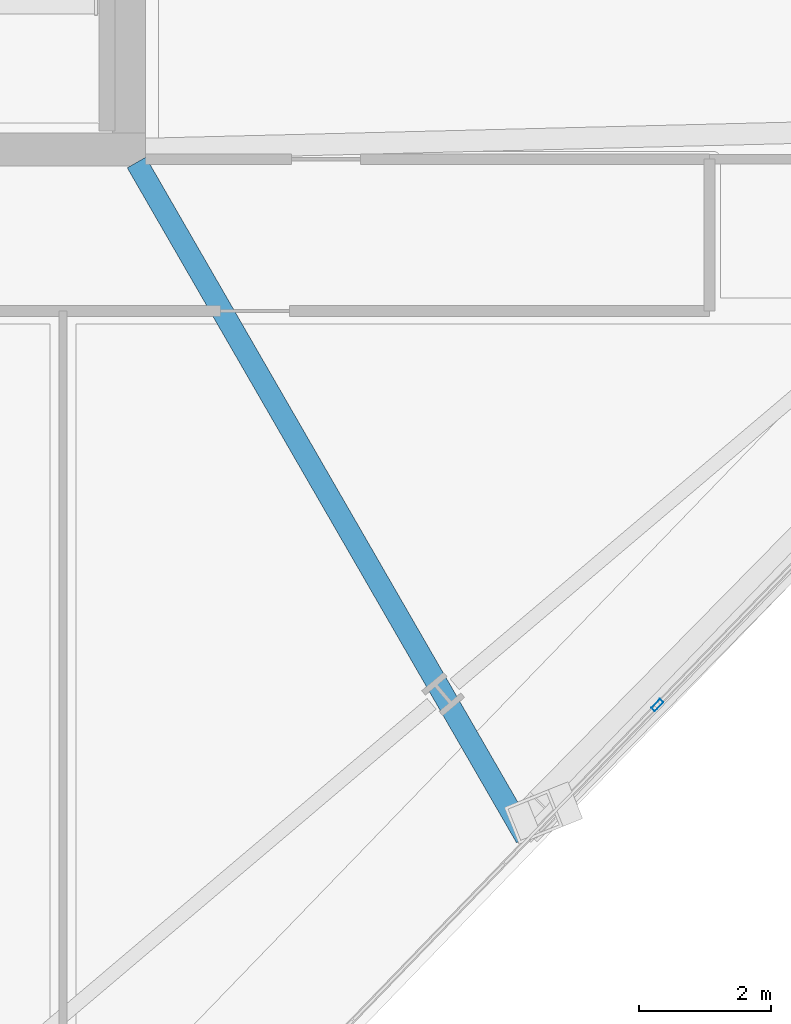
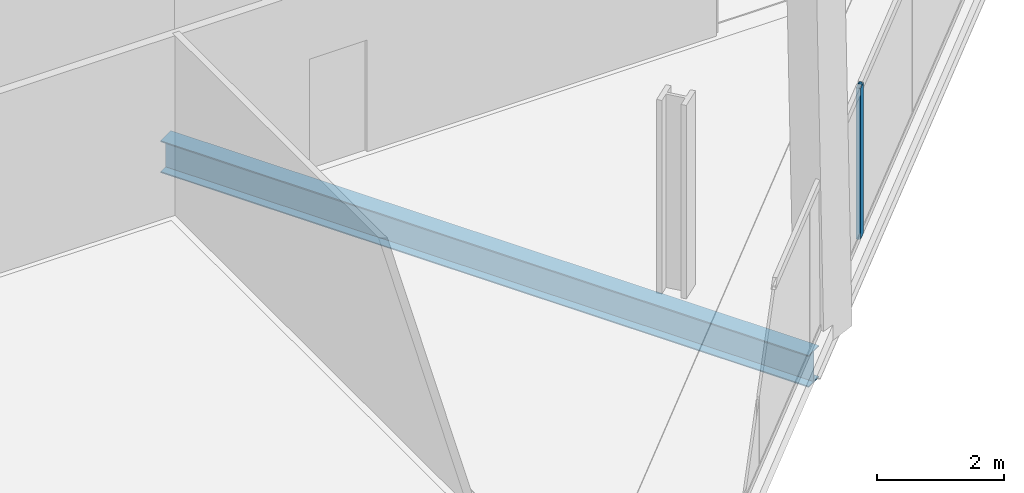
# One storey, part 9 of 33: 1 beam, 1 member, 1 element without a shape of its own.
"""IFC4 building model written with IfcOpenShell, lengths in metres."""

import ifcopenshell
import ifcopenshell.guid

model = None  # the IFC model being written
_history = None  # IfcOwnerHistory: only IFC2X3 demands one
_inside = {}  # id of a spatial element -> (the spatial element, [elements in it])
_under = {}  # id of a project, library or spatial element -> (it, [spatial elements below it])
_declared = {}  # id of a project -> (the project, [libraries it declares])
_typed = {}  # id of a type object -> (the type object, [elements of that type])
_made_of = {}  # id of a material, layer set ... -> (it, [elements and type objects made of it])


def new_model(schema):
    """Start an empty IFC model of exactly this schema.

    Asked for "IFC4X3", IfcOpenShell would pick the latest addendum, in which some entities
    have other attributes; the version numbers below select the first issue.
    IFC2X3 requires an IfcOwnerHistory on every rooted entity: one is made here for all.
    """
    global model, _history
    if schema == "IFC4X3":
        model = ifcopenshell.file(schema_version=(4, 3, 0, 0))
    else:
        model = ifcopenshell.file(schema=schema)
    _inside.clear()
    _under.clear()
    _declared.clear()
    _typed.clear()
    _made_of.clear()
    _history = None
    if model.schema == "IFC2X3":
        org = make("IfcOrganization", Name="unknown")
        user = make(
            "IfcPersonAndOrganization",
            ThePerson=make("IfcPerson", FamilyName="unknown"),
            TheOrganization=org,
        )
        app = make(
            "IfcApplication",
            ApplicationDeveloper=org,
            Version="unknown",
            ApplicationFullName="unknown",
            ApplicationIdentifier="unknown",
        )
        _history = make(
            "IfcOwnerHistory",
            OwningUser=user,
            OwningApplication=app,
            ChangeAction="ADDED",
            CreationDate=0,
        )
    return model


def make(cls, **values):
    """One entity of the class cls with the attributes given. An attribute that is None is left unset."""
    return model.create_entity(
        cls, **{name: value for name, value in values.items() if value is not None}
    )


def rooted(cls, **values):
    """An entity with a GlobalId (a new one), such as an element, a storey or a relation."""
    return make(cls, GlobalId=ifcopenshell.guid.new(), OwnerHistory=_history, **values)


def si_unit(unit_type, name, prefix=None):
    """IfcSIUnit, for example si_unit("LENGTHUNIT", "METRE", prefix="MILLI")."""
    return make("IfcSIUnit", UnitType=unit_type, Prefix=prefix, Name=name)


def assignment(units):
    """IfcUnitAssignment: the units of a project."""
    return None if units is None else make("IfcUnitAssignment", Units=units)


def point(xyz):
    """IfcCartesianPoint."""
    return None if xyz is None else make("IfcCartesianPoint", Coordinates=xyz)


def direction(xyz):
    """IfcDirection."""
    return None if xyz is None else make("IfcDirection", DirectionRatios=xyz)


def frame(location, z_axis=None, x_axis=None):
    """IfcAxis2Placement3D, a coordinate frame: its origin and axes. An axis left out is left unset."""
    return make(
        "IfcAxis2Placement3D",
        Location=point(location),
        Axis=direction(z_axis),
        RefDirection=direction(x_axis),
    )


def frame_2d(location, x_axis=None):
    """IfcAxis2Placement2D, a coordinate frame in the plane: its origin and x axis."""
    return make(
        "IfcAxis2Placement2D", Location=point(location), RefDirection=direction(x_axis)
    )


def origin():
    """The frame at (0, 0, 0) with its axes left unset."""
    return frame((0.0, 0.0, 0.0))


def origin_2d():
    """The frame at (0, 0) in the plane with its x axis left unset."""
    return frame_2d((0.0, 0.0))


def place(relative_to, where):
    """IfcLocalPlacement: puts the frame where relative to a parent placement (None: the world)."""
    return make(
        "IfcLocalPlacement", PlacementRelTo=relative_to, RelativePlacement=where
    )


def context(
    kind, dimensions, precision=None, world=None, true_north=None, identifier=None
):
    """IfcGeometricRepresentationContext, for example the 3D "Model" context."""
    return make(
        "IfcGeometricRepresentationContext",
        ContextIdentifier=identifier,
        ContextType=kind,
        CoordinateSpaceDimension=dimensions,
        Precision=precision,
        WorldCoordinateSystem=world,
        TrueNorth=true_north,
    )


def subcontext(parent, identifier, kind, view, scale=None):
    """IfcGeometricRepresentationSubContext, for example "Body" below "Model"."""
    return make(
        "IfcGeometricRepresentationSubContext",
        ContextIdentifier=identifier,
        ContextType=kind,
        ParentContext=parent,
        TargetScale=scale,
        TargetView=view,
    )


def project(units=None, contexts=None):
    """IfcProject with its units and contexts."""
    return rooted(
        "IfcProject",
        Name="project",
        RepresentationContexts=contexts,
        UnitsInContext=assignment(units),
    )


def spatial(cls, under=None, at=None, **own):
    """A site, building, storey or space (cls), placed at a placement, below another one or the project."""
    s = rooted(cls, ObjectPlacement=at, **own)
    if under is not None:
        _under.setdefault(under.id(), (under, []))[1].append(s)
    return s


def profile(cls, at=None, kind="AREA", **sizes):
    """A parametric profile (cls). Its sizes go by their IFC names, for example OverallWidth=200.0."""
    return make(cls, ProfileType=kind, Position=at, **sizes)


def hollow_rectangle(**sizes):
    """IfcRectangleHollowProfileDef."""
    return profile("IfcRectangleHollowProfileDef", **sizes)


def i_section(**sizes):
    """IfcIShapeProfileDef."""
    return profile("IfcIShapeProfileDef", **sizes)


def extrude(swept, where, along, depth):
    """IfcExtrudedAreaSolid: the profile swept, set in the frame where, extruded along a direction by depth."""
    return make(
        "IfcExtrudedAreaSolid",
        SweptArea=swept,
        Position=where,
        ExtrudedDirection=direction(along),
        Depth=depth,
    )


def shape(context_of_items, identifier, shape_type, items):
    """IfcShapeRepresentation: the items that make up one representation, for example the "Body"."""
    return make(
        "IfcShapeRepresentation",
        ContextOfItems=context_of_items,
        RepresentationIdentifier=identifier,
        RepresentationType=shape_type,
        Items=items,
    )


def material(Name=None, Category=None):
    """IfcMaterial."""
    return make("IfcMaterial", Name=Name, Category=Category)


def material_profile(
    of_material, cross_section, Name=None, Category=None, Priority=None
):
    """IfcMaterialProfile: a cross section and its material."""
    return make(
        "IfcMaterialProfile",
        Name=Name,
        Material=of_material,
        Profile=cross_section,
        Priority=Priority,
        Category=Category,
    )


def profile_set(profiles, Name=None, composite=None):
    """IfcMaterialProfileSet."""
    return make(
        "IfcMaterialProfileSet",
        Name=Name,
        MaterialProfiles=profiles,
        CompositeProfile=composite,
    )


def made_of(thing, what):
    """Note that an element or type object is made of a material, layer set ...; save() writes the relation."""
    if what is not None:
        _made_of.setdefault(what.id(), (what, []))[1].append(thing)
    return thing


def type_object(cls, material=None, **own):
    """A type object (cls), such as IfcWallType, which elements share."""
    return made_of(rooted(cls, **own), material)


def element(
    cls,
    number,
    at=None,
    inside=None,
    cuts=None,
    type_object=None,
    material=None,
    context=None,
    identifier="Body",
    shape_type=None,
    held_by="IfcProductDefinitionShape",
    body=None,
    shapes=None,
    **own,
):
    """One element of the class cls, such as IfcWall. Its Tag is "e" and its number.

    at: its placement. inside: the storey or other place that contains it. cuts: it is an
    opening in that element (IfcRelVoidsElement). A single representation is given by context,
    identifier, shape_type and body (its items); several are given by shapes. held_by: the class
    of the entity that holds the representations. save() writes the other relations.
    """
    e = rooted(cls, Tag="e%d" % number, ObjectPlacement=at, **own)
    if body is not None:
        shapes = [shape(context, identifier, shape_type, body)]
    if shapes is not None:
        e.Representation = make(held_by, Representations=shapes)
    if inside is not None:
        _inside.setdefault(inside.id(), (inside, []))[1].append(e)
    if cuts is not None:
        rooted(
            "IfcRelVoidsElement", RelatingBuildingElement=cuts, RelatedOpeningElement=e
        )
    if type_object is not None:
        _typed.setdefault(type_object.id(), (type_object, []))[1].append(e)
    return made_of(e, material)


def aggregate(whole, parts):
    """IfcRelAggregates: a whole, such as a stair, and the parts it consists of."""
    return rooted("IfcRelAggregates", RelatingObject=whole, RelatedObjects=parts)


def save(model, path):
    """Write the relations noted so far, then the file.

    IfcRelAggregates (storeys below a building ...), IfcRelContainedInSpatialStructure (elements
    in a storey), IfcRelDefinesByType, IfcRelAssociatesMaterial and IfcRelDeclares: one each for
    every whole, place, type object, material and project.
    """
    for whole, parts in _under.values():
        aggregate(whole, parts)
    for where, things in _inside.values():
        rooted(
            "IfcRelContainedInSpatialStructure",
            RelatedElements=things,
            RelatingStructure=where,
        )
    for kind, things in _typed.values():
        rooted("IfcRelDefinesByType", RelatedObjects=things, RelatingType=kind)
    for what, things in _made_of.values():
        rooted("IfcRelAssociatesMaterial", RelatedObjects=things, RelatingMaterial=what)
    for by, libraries in _declared.values():
        rooted("IfcRelDeclares", RelatingContext=by, RelatedDefinitions=libraries)
    model.write(path)


model = new_model("IFC4")

# Units and contexts
model_context = context("Model", 3, precision=1e-05, world=origin(), true_north=direction((0.0, 1.0)))
body_context = subcontext(model_context, "Body", "Model", "MODEL_VIEW")
ifc_project = project(units=[si_unit("LENGTHUNIT", "METRE"), si_unit("AREAUNIT", "SQUARE_METRE"), si_unit("VOLUMEUNIT", "CUBIC_METRE"), si_unit("PLANEANGLEUNIT", "RADIAN"), si_unit("MASSUNIT", "GRAM", prefix="KILO")], contexts=[model_context])

# Site, building, storey
site_placement = place(None, origin())
site = spatial("IfcSite", under=ifc_project, at=site_placement, CompositionType="ELEMENT")
building_placement = place(site_placement, origin())
building = spatial("IfcBuilding", under=site, at=building_placement, Name="Haldenkirk Collegiate Tower", CompositionType="ELEMENT")
storey_placement = place(building_placement, frame((0.0, 0.0, 181.949951171875)))
storey = spatial("IfcBuildingStorey", under=building, at=storey_placement, Name="L45", CompositionType="ELEMENT", Elevation=181.949951171875)

# Beam
ifc_material_1 = material(Name="Steel ASTM A992 Grade 50", Category="steel")
ifc_material_profile_1 = material_profile(ifc_material_1, i_section(OverallWidth=0.324951171875, OverallDepth=0.615966796875, WebThickness=0.013916015625, FlangeThickness=0.021484375, at=origin_2d()), Name="W24X117")
ifc_profile_set_1 = profile_set([ifc_material_profile_1], Name="Steel ASTM A992 Grade 50")
beam_type = type_object("IfcBeamType", Name="BM-GIRDER-W24X117", PredefinedType="BEAM", material=ifc_profile_set_1)
beam_placement = place(storey_placement, frame((51.016357421875, 7.569091796875, -0.597900390625), z_axis=(-0.499625227584, 0.866241670645, 0.0), x_axis=(-0.866241670645, -0.499625227584, 0.0)))
element("IfcBeam", 1, at=beam_placement, inside=storey, type_object=beam_type, Name="L45 primary floor girder 06", PredefinedType="BEAM", context=body_context, shape_type="SweptSolid", body=[
    extrude(i_section(OverallWidth=0.324951171875, OverallDepth=0.615966796875, WebThickness=0.013916015625, FlangeThickness=0.021484375, at=origin_2d()), origin(), (0.0, 0.0, 1.0), 11.8115234375),
])

# Curtain wall, member
ifc_material_2 = material(Name="Anodised architectural bronze aluminium", Category="aluminium")
curtain_wall_type = type_object("IfcCurtainWallType", Name="CW-SYS2-CONCAVE", PredefinedType="USERDEFINED", material=ifc_material_2)
curtain_wall_placement = place(storey_placement, origin())
curtain_wall = element("IfcCurtainWall", 2, at=curtain_wall_placement, inside=storey, type_object=curtain_wall_type, Name="L45 South concave recessed bronze-anodised curtain wall", ObjectType="UNITISED CURTAIN WALL", PredefinedType="USERDEFINED")
ifc_material_profile_2 = material_profile(ifc_material_2, hollow_rectangle(XDim=0.074951171875, YDim=0.18994140625, WallThickness=0.0048828125, at=origin_2d()), Name="CW-MUL-02")
ifc_profile_set_2 = profile_set([ifc_material_profile_2], Name="Anodised architectural bronze aluminium")
member_type = type_object("IfcMemberType", Name="CW-MUL-02", PredefinedType="MULLION", material=ifc_profile_set_2)
member_placement = place(storey_placement, frame((53.0087890625, 9.57470703125, 0.0), z_axis=(0.0, 0.0, 1.0), x_axis=(0.719339919409, -0.694658247158, 0.0)))
member = element("IfcMember", 3, at=member_placement, type_object=member_type, Name="CW-02 mullion 3", PredefinedType="MULLION", context=body_context, shape_type="SweptSolid", body=[
    extrude(hollow_rectangle(XDim=0.074951171875, YDim=0.18994140625, WallThickness=0.0048828125, at=origin_2d()), origin(), (0.0, 0.0, 1.0), 2.9111328125),
])
aggregate(curtain_wall, [member])

save(model, "model.ifc")
